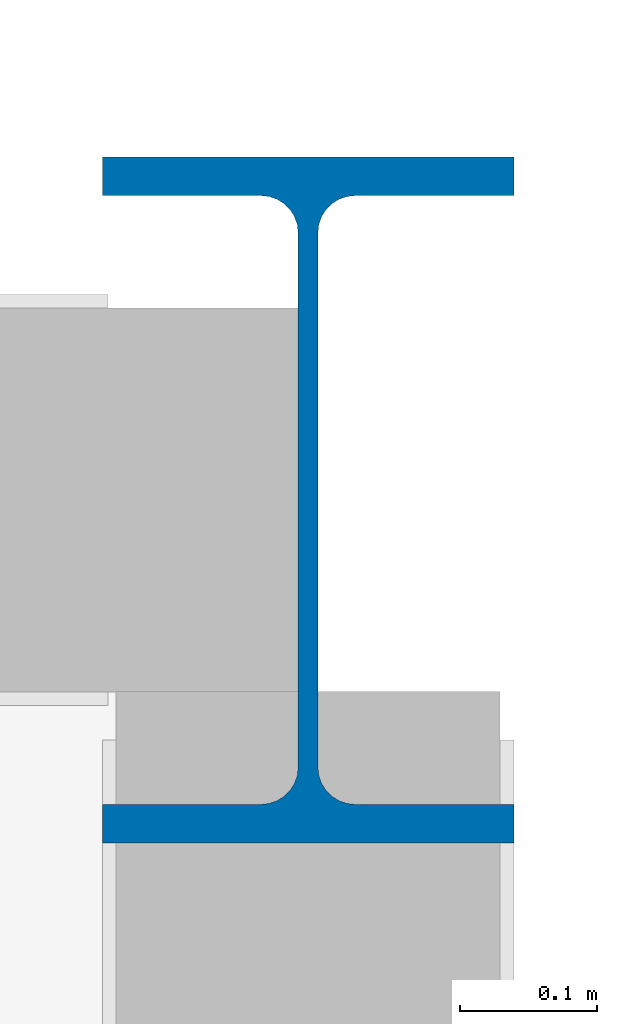
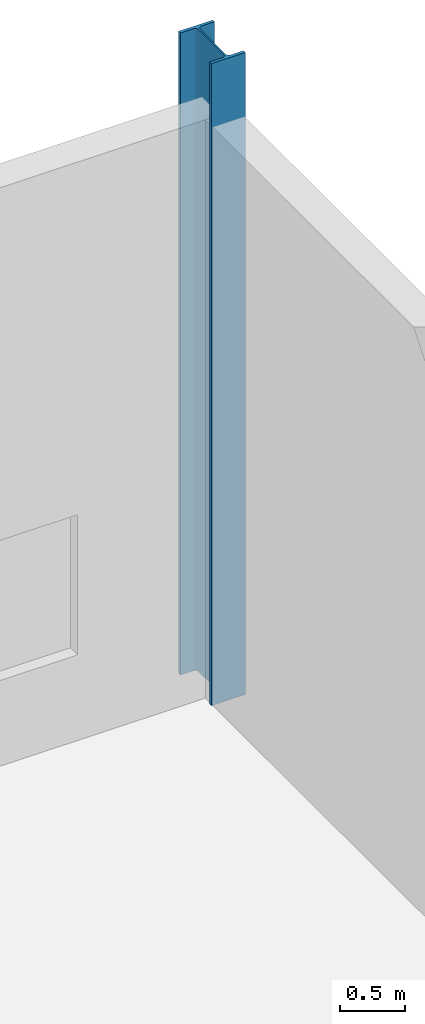
# One storey, part 9 of 100: 1 column.
"""IFC4 building model written with IfcOpenShell, lengths in metres."""

import ifcopenshell
import ifcopenshell.guid

model = None  # the IFC model being written
_history = None  # IfcOwnerHistory: only IFC2X3 demands one
_inside = {}  # id of a spatial element -> (the spatial element, [elements in it])
_under = {}  # id of a project, library or spatial element -> (it, [spatial elements below it])
_declared = {}  # id of a project -> (the project, [libraries it declares])
_typed = {}  # id of a type object -> (the type object, [elements of that type])
_made_of = {}  # id of a material, layer set ... -> (it, [elements and type objects made of it])


def new_model(schema):
    """Start an empty IFC model of exactly this schema.

    Asked for "IFC4X3", IfcOpenShell would pick the latest addendum, in which some entities
    have other attributes; the version numbers below select the first issue.
    IFC2X3 requires an IfcOwnerHistory on every rooted entity: one is made here for all.
    """
    global model, _history
    if schema == "IFC4X3":
        model = ifcopenshell.file(schema_version=(4, 3, 0, 0))
    else:
        model = ifcopenshell.file(schema=schema)
    _inside.clear()
    _under.clear()
    _declared.clear()
    _typed.clear()
    _made_of.clear()
    _history = None
    if model.schema == "IFC2X3":
        org = make("IfcOrganization", Name="unknown")
        user = make(
            "IfcPersonAndOrganization",
            ThePerson=make("IfcPerson", FamilyName="unknown"),
            TheOrganization=org,
        )
        app = make(
            "IfcApplication",
            ApplicationDeveloper=org,
            Version="unknown",
            ApplicationFullName="unknown",
            ApplicationIdentifier="unknown",
        )
        _history = make(
            "IfcOwnerHistory",
            OwningUser=user,
            OwningApplication=app,
            ChangeAction="ADDED",
            CreationDate=0,
        )
    return model


def make(cls, **values):
    """One entity of the class cls with the attributes given. An attribute that is None is left unset."""
    return model.create_entity(
        cls, **{name: value for name, value in values.items() if value is not None}
    )


def rooted(cls, **values):
    """An entity with a GlobalId (a new one), such as an element, a storey or a relation."""
    return make(cls, GlobalId=ifcopenshell.guid.new(), OwnerHistory=_history, **values)


def si_unit(unit_type, name, prefix=None):
    """IfcSIUnit, for example si_unit("LENGTHUNIT", "METRE", prefix="MILLI")."""
    return make("IfcSIUnit", UnitType=unit_type, Prefix=prefix, Name=name)


def assignment(units):
    """IfcUnitAssignment: the units of a project."""
    return None if units is None else make("IfcUnitAssignment", Units=units)


def point(xyz):
    """IfcCartesianPoint."""
    return None if xyz is None else make("IfcCartesianPoint", Coordinates=xyz)


def direction(xyz):
    """IfcDirection."""
    return None if xyz is None else make("IfcDirection", DirectionRatios=xyz)


def frame(location, z_axis=None, x_axis=None):
    """IfcAxis2Placement3D, a coordinate frame: its origin and axes. An axis left out is left unset."""
    return make(
        "IfcAxis2Placement3D",
        Location=point(location),
        Axis=direction(z_axis),
        RefDirection=direction(x_axis),
    )


def frame_2d(location, x_axis=None):
    """IfcAxis2Placement2D, a coordinate frame in the plane: its origin and x axis."""
    return make(
        "IfcAxis2Placement2D", Location=point(location), RefDirection=direction(x_axis)
    )


def origin():
    """The frame at (0, 0, 0) with its axes left unset."""
    return frame((0.0, 0.0, 0.0))


def origin_2d():
    """The frame at (0, 0) in the plane with its x axis left unset."""
    return frame_2d((0.0, 0.0))


def place(relative_to, where):
    """IfcLocalPlacement: puts the frame where relative to a parent placement (None: the world)."""
    return make(
        "IfcLocalPlacement", PlacementRelTo=relative_to, RelativePlacement=where
    )


def context(
    kind, dimensions, precision=None, world=None, true_north=None, identifier=None
):
    """IfcGeometricRepresentationContext, for example the 3D "Model" context."""
    return make(
        "IfcGeometricRepresentationContext",
        ContextIdentifier=identifier,
        ContextType=kind,
        CoordinateSpaceDimension=dimensions,
        Precision=precision,
        WorldCoordinateSystem=world,
        TrueNorth=true_north,
    )


def subcontext(parent, identifier, kind, view, scale=None):
    """IfcGeometricRepresentationSubContext, for example "Body" below "Model"."""
    return make(
        "IfcGeometricRepresentationSubContext",
        ContextIdentifier=identifier,
        ContextType=kind,
        ParentContext=parent,
        TargetScale=scale,
        TargetView=view,
    )


def project(units=None, contexts=None):
    """IfcProject with its units and contexts."""
    return rooted(
        "IfcProject",
        Name="project",
        RepresentationContexts=contexts,
        UnitsInContext=assignment(units),
    )


def spatial(cls, under=None, at=None, **own):
    """A site, building, storey or space (cls), placed at a placement, below another one or the project."""
    s = rooted(cls, ObjectPlacement=at, **own)
    if under is not None:
        _under.setdefault(under.id(), (under, []))[1].append(s)
    return s


def profile(cls, at=None, kind="AREA", **sizes):
    """A parametric profile (cls). Its sizes go by their IFC names, for example OverallWidth=200.0."""
    return make(cls, ProfileType=kind, Position=at, **sizes)


def i_section(**sizes):
    """IfcIShapeProfileDef."""
    return profile("IfcIShapeProfileDef", **sizes)


def extrude(swept, where, along, depth):
    """IfcExtrudedAreaSolid: the profile swept, set in the frame where, extruded along a direction by depth."""
    return make(
        "IfcExtrudedAreaSolid",
        SweptArea=swept,
        Position=where,
        ExtrudedDirection=direction(along),
        Depth=depth,
    )


def shape(context_of_items, identifier, shape_type, items):
    """IfcShapeRepresentation: the items that make up one representation, for example the "Body"."""
    return make(
        "IfcShapeRepresentation",
        ContextOfItems=context_of_items,
        RepresentationIdentifier=identifier,
        RepresentationType=shape_type,
        Items=items,
    )


def material(Name=None, Category=None):
    """IfcMaterial."""
    return make("IfcMaterial", Name=Name, Category=Category)


def material_profile(
    of_material, cross_section, Name=None, Category=None, Priority=None
):
    """IfcMaterialProfile: a cross section and its material."""
    return make(
        "IfcMaterialProfile",
        Name=Name,
        Material=of_material,
        Profile=cross_section,
        Priority=Priority,
        Category=Category,
    )


def profile_set(profiles, Name=None, composite=None):
    """IfcMaterialProfileSet."""
    return make(
        "IfcMaterialProfileSet",
        Name=Name,
        MaterialProfiles=profiles,
        CompositeProfile=composite,
    )


def made_of(thing, what):
    """Note that an element or type object is made of a material, layer set ...; save() writes the relation."""
    if what is not None:
        _made_of.setdefault(what.id(), (what, []))[1].append(thing)
    return thing


def type_object(cls, material=None, **own):
    """A type object (cls), such as IfcWallType, which elements share."""
    return made_of(rooted(cls, **own), material)


def element(
    cls,
    number,
    at=None,
    inside=None,
    cuts=None,
    type_object=None,
    material=None,
    context=None,
    identifier="Body",
    shape_type=None,
    held_by="IfcProductDefinitionShape",
    body=None,
    shapes=None,
    **own,
):
    """One element of the class cls, such as IfcWall. Its Tag is "e" and its number.

    at: its placement. inside: the storey or other place that contains it. cuts: it is an
    opening in that element (IfcRelVoidsElement). A single representation is given by context,
    identifier, shape_type and body (its items); several are given by shapes. held_by: the class
    of the entity that holds the representations. save() writes the other relations.
    """
    e = rooted(cls, Tag="e%d" % number, ObjectPlacement=at, **own)
    if body is not None:
        shapes = [shape(context, identifier, shape_type, body)]
    if shapes is not None:
        e.Representation = make(held_by, Representations=shapes)
    if inside is not None:
        _inside.setdefault(inside.id(), (inside, []))[1].append(e)
    if cuts is not None:
        rooted(
            "IfcRelVoidsElement", RelatingBuildingElement=cuts, RelatedOpeningElement=e
        )
    if type_object is not None:
        _typed.setdefault(type_object.id(), (type_object, []))[1].append(e)
    return made_of(e, material)


def aggregate(whole, parts):
    """IfcRelAggregates: a whole, such as a stair, and the parts it consists of."""
    return rooted("IfcRelAggregates", RelatingObject=whole, RelatedObjects=parts)


def save(model, path):
    """Write the relations noted so far, then the file.

    IfcRelAggregates (storeys below a building ...), IfcRelContainedInSpatialStructure (elements
    in a storey), IfcRelDefinesByType, IfcRelAssociatesMaterial and IfcRelDeclares: one each for
    every whole, place, type object, material and project.
    """
    for whole, parts in _under.values():
        aggregate(whole, parts)
    for where, things in _inside.values():
        rooted(
            "IfcRelContainedInSpatialStructure",
            RelatedElements=things,
            RelatingStructure=where,
        )
    for kind, things in _typed.values():
        rooted("IfcRelDefinesByType", RelatedObjects=things, RelatingType=kind)
    for what, things in _made_of.values():
        rooted("IfcRelAssociatesMaterial", RelatedObjects=things, RelatingMaterial=what)
    for by, libraries in _declared.values():
        rooted("IfcRelDeclares", RelatingContext=by, RelatedDefinitions=libraries)
    model.write(path)


model = new_model("IFC4")

# Units and contexts
model_context = context("Model", 3, precision=1e-05, world=origin(), true_north=direction((0.0, 1.0)))
body_context = subcontext(model_context, "Body", "Model", "MODEL_VIEW")
ifc_project = project(units=[si_unit("LENGTHUNIT", "METRE"), si_unit("AREAUNIT", "SQUARE_METRE"), si_unit("VOLUMEUNIT", "CUBIC_METRE"), si_unit("PLANEANGLEUNIT", "RADIAN"), si_unit("MASSUNIT", "GRAM", prefix="KILO")], contexts=[model_context])

# Site, building, storey
site_placement = place(None, origin())
site = spatial("IfcSite", under=ifc_project, at=site_placement, CompositionType="ELEMENT")
building_placement = place(site_placement, origin())
building = spatial("IfcBuilding", under=site, at=building_placement, Name="Kimbaza Rail Terminus", CompositionType="ELEMENT")
storey_placement = place(building_placement, frame((0.0, 0.0, 10.800048828125)))
storey = spatial("IfcBuildingStorey", under=building, at=storey_placement, Name="L02", CompositionType="ELEMENT", Elevation=10.800048828125)

# Column
ifc_material = material(Name="Steel S355", Category="steel")
ifc_material_profile = material_profile(ifc_material, i_section(OverallWidth=0.300048828125, OverallDepth=0.5, WebThickness=0.014404296875, FlangeThickness=0.028076171875, FilletRadius=0.027099609375, at=origin_2d()), Name="HEB 500")
ifc_profile_set = profile_set([ifc_material_profile], Name="Steel S355")
column_type = type_object("IfcColumnType", Name="STR-COL-HEB500", PredefinedType="COLUMN", material=ifc_profile_set)
column_placement = place(storey_placement, frame((156.0, 133.0, 0.0), z_axis=(0.0, 0.0, 1.0), x_axis=(1.0, 0.0, 0.0)))
element("IfcColumn", 1, at=column_placement, inside=storey, type_object=column_type, Name="Operations Column L02 (6,2)", PredefinedType="COLUMN", context=body_context, shape_type="SweptSolid", body=[
    extrude(i_section(OverallWidth=0.300048828125, OverallDepth=0.5, WebThickness=0.014404296875, FlangeThickness=0.028076171875, FilletRadius=0.027099609375, at=origin_2d()), origin(), (0.0, 0.0, 1.0), 6.0),
])

save(model, "model.ifc")
